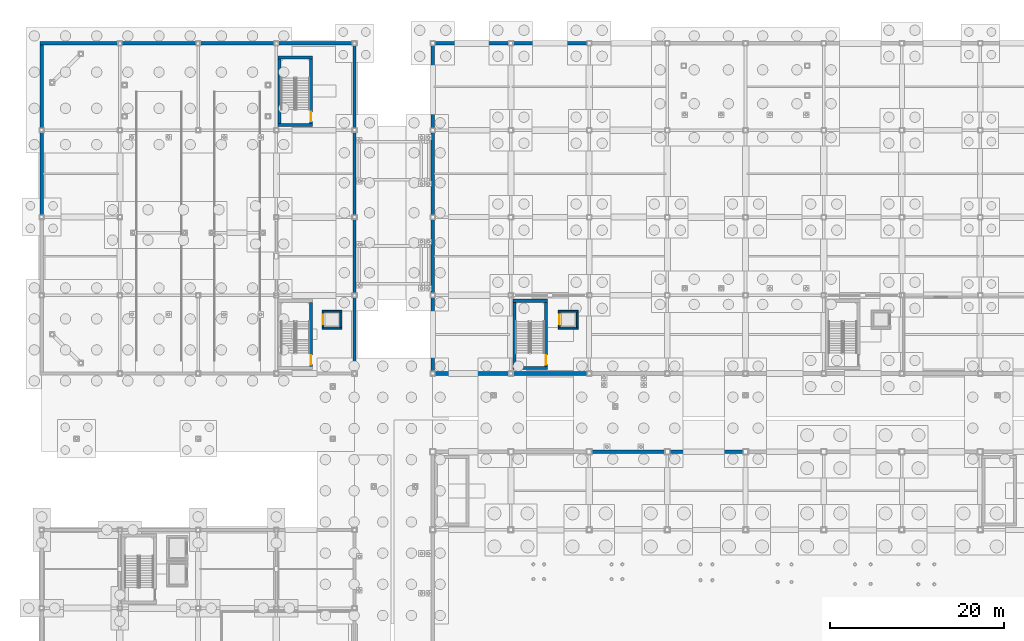
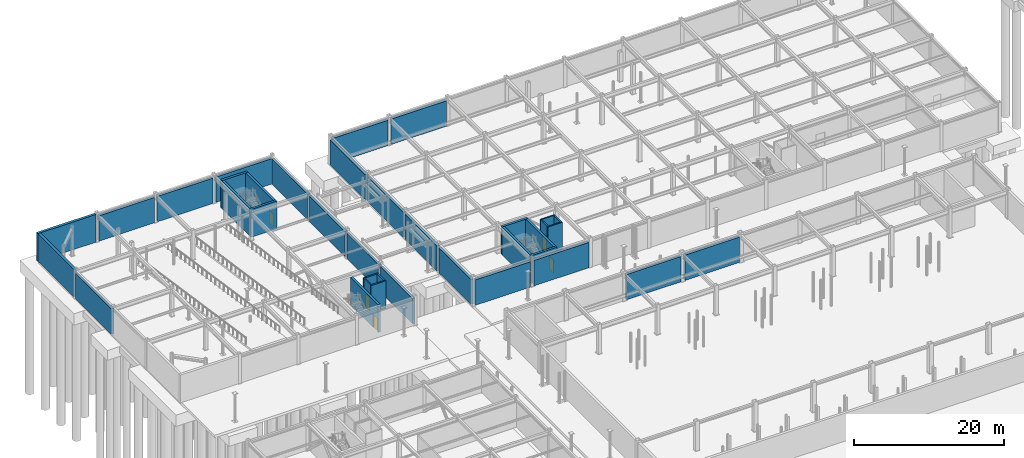
# One storey, part 54 of 74: 37 walls, 5 doors, 5 openings.
"""IFC4 building model written with IfcOpenShell, lengths in metres."""

from ifc_helpers import new_model, si_unit, direction, frame, frame_2d, origin, place, context, subcontext, project, spatial, rectangle, extrude, material, layer, layer_set, type_object, element, fill, save


model = new_model("IFC4")

# Units and contexts
model_context = context("Model", 3, precision=1e-05, world=origin(), true_north=direction((0.0, 1.0)))
body_context = subcontext(model_context, "Body", "Model", "MODEL_VIEW")
ifc_project = project(units=[si_unit("LENGTHUNIT", "METRE"), si_unit("AREAUNIT", "SQUARE_METRE"), si_unit("VOLUMEUNIT", "CUBIC_METRE"), si_unit("PLANEANGLEUNIT", "RADIAN"), si_unit("MASSUNIT", "GRAM", prefix="KILO")], contexts=[model_context])

# Site, building, storey
site_placement = place(None, origin())
site = spatial("IfcSite", under=ifc_project, at=site_placement, CompositionType="ELEMENT")
building_placement = place(site_placement, origin())
building = spatial("IfcBuilding", under=site, at=building_placement, Name="Suzunagisa Mobility Hub", CompositionType="ELEMENT")
storey_placement = place(building_placement, frame((0.0, 0.0, -4.800048828125)))
storey = spatial("IfcBuildingStorey", under=building, at=storey_placement, Name="B1", CompositionType="ELEMENT", Elevation=-4.800048828125)

# Walls
ifc_material_1 = material(Name="Concrete C35/45", Category="concrete")
ifc_layer_1 = layer(ifc_material_1, 0.419921875)
ifc_layer_set_1 = layer_set([ifc_layer_1], Name="Concrete C35/45")
wall_type_1 = type_object("IfcWallType", Name="Exterior Wall EW-02 420mm", PredefinedType="USERDEFINED", material=ifc_layer_set_1)
for number, where, z_axis, x_axis, name in (
    (1, (45.25, 80.0, 0.0), (0.0, 0.0, 1.0), (1.0, 0.0, 0.0), "B1 Perimeter Retaining Wall RW-136"),
    (2, (54.25, 80.0, 0.0), (0.0, 0.0, 1.0), (1.0, 0.0, 0.0), "B1 Perimeter Retaining Wall RW-137"),
    (3, (62.75, 118.0, 0.0), (0.0, 0.0, 1.0), (-1.0, 0.0, 0.0), "B1 Perimeter Retaining Wall RW-156"),
    (4, (53.75, 118.0, 0.0), (0.0, 0.0, 1.0), (-1.0, 0.0, 0.0), "B1 Perimeter Retaining Wall RW-157"),
):
    element("IfcWall", number, at=place(storey_placement, frame(where, z_axis=z_axis, x_axis=x_axis)), inside=storey, type_object=wall_type_1, Name=name, ObjectType="RETAINING WALL", PredefinedType="USERDEFINED", context=body_context, shape_type="SweptSolid", body=[
        extrude(rectangle(XDim=8.5, YDim=0.419921875, at=frame_2d((4.25, 0.0))), origin(), (0.0, 0.0, 1.0), 4.130126953125),
    ])
for number, where, z_axis, x_axis, name in (
    (5, (45.0, 117.75, 0.0), (0.0, 0.0, 1.0), (0.0, -1.0, 0.0), "B1 Perimeter Retaining Wall RW-158"),
    (6, (45.0, 107.75, 0.0), (0.0, 0.0, 1.0), (0.0, -1.0, 0.0), "B1 Perimeter Retaining Wall RW-159"),
):
    element("IfcWall", number, at=place(storey_placement, frame(where, z_axis=z_axis, x_axis=x_axis)), inside=storey, type_object=wall_type_1, Name=name, ObjectType="RETAINING WALL", PredefinedType="USERDEFINED", context=body_context, shape_type="SweptSolid", body=[
        extrude(rectangle(XDim=9.5, YDim=0.419921875, at=frame_2d((4.75, 0.0))), origin(), (0.0, 0.0, 1.0), 4.070068359375),
    ])
for number, where, z_axis, x_axis, name in (
    (7, (45.0, 97.75, 0.0), (0.0, 0.0, 1.0), (0.0, -1.0, 0.0), "B1 Perimeter Retaining Wall RW-160"),
    (8, (45.0, 88.75, 0.0), (0.0, 0.0, 1.0), (0.0, -1.0, 0.0), "B1 Perimeter Retaining Wall RW-161"),
):
    element("IfcWall", number, at=place(storey_placement, frame(where, z_axis=z_axis, x_axis=x_axis)), inside=storey, type_object=wall_type_1, Name=name, ObjectType="RETAINING WALL", PredefinedType="USERDEFINED", context=body_context, shape_type="SweptSolid", body=[
        extrude(rectangle(XDim=8.5, YDim=0.419921875, at=frame_2d((4.25, 0.0))), origin(), (0.0, 0.0, 1.0), 4.070068359375),
    ])
ifc_layer_2 = layer(ifc_material_1, 0.3798828125)
ifc_layer_set_2 = layer_set([ifc_layer_2], Name="Concrete C35/45")
wall_type_2 = type_object("IfcWallType", Name="Exterior Wall EW-06 380mm", PredefinedType="USERDEFINED", material=ifc_layer_set_2)
for number, where, z_axis, x_axis, name in (
    (9, (80.699951171875, 71.0, 0.0), (0.0, 0.0, 1.0), (-1.0, 0.0, 0.0), "B1 Perimeter Retaining Wall RW-65"),
    (10, (71.699951171875, 71.0, 0.0), (0.0, 0.0, 1.0), (-1.0, 0.0, 0.0), "B1 Perimeter Retaining Wall RW-66"),
):
    element("IfcWall", number, at=place(storey_placement, frame(where, z_axis=z_axis, x_axis=x_axis)), inside=storey, type_object=wall_type_2, Name=name, ObjectType="RETAINING WALL", PredefinedType="USERDEFINED", context=body_context, shape_type="SweptSolid", body=[
        extrude(rectangle(XDim=8.39990234375, YDim=0.3798828125, at=frame_2d((4.199951171875, 0.0))), origin(), (0.0, 0.0, 1.0), 4.130126953125),
    ])
for number, where, z_axis, x_axis, name in (
    (11, (36.0, 80.22509765625, 0.0), (0.0, 0.0, 1.0), (0.0, 1.0, 0.0), "B1 Perimeter Retaining Wall RW-86"),
    (12, (36.0, 89.22509765625, 0.0), (0.0, 0.0, 1.0), (0.0, 1.0, 0.0), "B1 Perimeter Retaining Wall RW-87"),
):
    element("IfcWall", number, at=place(storey_placement, frame(where, z_axis=z_axis, x_axis=x_axis)), inside=storey, type_object=wall_type_2, Name=name, ObjectType="RETAINING WALL", PredefinedType="USERDEFINED", context=body_context, shape_type="SweptSolid", body=[
        extrude(rectangle(XDim=8.5498046875, YDim=0.3798828125, at=frame_2d((4.27490234375, 0.0))), origin(), (0.0, 0.0, 1.0), 4.130126953125),
    ])
for number, where, z_axis, x_axis, name in (
    (13, (36.0, 98.22509765625, 0.0), (0.0, 0.0, 1.0), (0.0, 1.0, 0.0), "B1 Perimeter Retaining Wall RW-88"),
    (14, (36.0, 108.22509765625, 0.0), (0.0, 0.0, 1.0), (0.0, 1.0, 0.0), "B1 Perimeter Retaining Wall RW-89"),
):
    element("IfcWall", number, at=place(storey_placement, frame(where, z_axis=z_axis, x_axis=x_axis)), inside=storey, type_object=wall_type_2, Name=name, ObjectType="RETAINING WALL", PredefinedType="USERDEFINED", context=body_context, shape_type="SweptSolid", body=[
        extrude(rectangle(XDim=9.5498046875, YDim=0.3798828125, at=frame_2d((4.77490234375, 0.0))), origin(), (0.0, 0.0, 1.0), 4.130126953125),
    ])
for number, where, z_axis, x_axis, name in (
    (15, (35.77490234375, 118.0, 0.0), (0.0, 0.0, 1.0), (-1.0, 0.0, 0.0), "B1 Perimeter Retaining Wall RW-90"),
    (16, (26.77490234375, 118.0, 0.0), (0.0, 0.0, 1.0), (-1.0, 0.0, 0.0), "B1 Perimeter Retaining Wall RW-91"),
    (17, (17.77490234375, 118.0, 0.0), (0.0, 0.0, 1.0), (-1.0, 0.0, 0.0), "B1 Perimeter Retaining Wall RW-92"),
):
    element("IfcWall", number, at=place(storey_placement, frame(where, z_axis=z_axis, x_axis=x_axis)), inside=storey, type_object=wall_type_2, Name=name, ObjectType="RETAINING WALL", PredefinedType="USERDEFINED", context=body_context, shape_type="SweptSolid", body=[
        extrude(rectangle(XDim=8.5498046875, YDim=0.3798828125, at=frame_2d((4.27490234375, 0.0))), origin(), (0.0, 0.0, 1.0), 4.130126953125),
    ])
wall_1_placement = place(storey_placement, frame((8.77490234375, 118.0, 0.0), z_axis=(0.0, 0.0, 1.0), x_axis=(-1.0, 0.0, 0.0)))
element("IfcWall", 18, at=wall_1_placement, inside=storey, type_object=wall_type_2, Name="B1 Perimeter Retaining Wall RW-93", ObjectType="RETAINING WALL", PredefinedType="USERDEFINED", context=body_context, shape_type="SweptSolid", body=[
    extrude(rectangle(XDim=8.96484375, YDim=0.3798828125, at=frame_2d((4.482421875, 0.0))), origin(), (0.0, 0.0, 1.0), 4.52001953125),
])
wall_2_placement = place(storey_placement, frame((0.0, 117.81005859375, 0.0), z_axis=(0.0, 0.0, 1.0), x_axis=(0.0, -1.0, 0.0)))
element("IfcWall", 19, at=wall_2_placement, inside=storey, type_object=wall_type_2, Name="B1 Perimeter Retaining Wall RW-94", ObjectType="RETAINING WALL", PredefinedType="USERDEFINED", context=body_context, shape_type="SweptSolid", body=[
    extrude(rectangle(XDim=9.5849609375, YDim=0.3798828125, at=frame_2d((4.79248046875, 0.0))), origin(), (0.0, 0.0, 1.0), 4.52001953125),
])
wall_3_placement = place(storey_placement, frame((0.0, 107.77490234375, 0.0), z_axis=(0.0, 0.0, 1.0), x_axis=(0.0, -1.0, 0.0)))
element("IfcWall", 20, at=wall_3_placement, inside=storey, type_object=wall_type_2, Name="B1 Perimeter Retaining Wall RW-95", ObjectType="RETAINING WALL", PredefinedType="USERDEFINED", context=body_context, shape_type="SweptSolid", body=[
    extrude(rectangle(XDim=9.5498046875, YDim=0.3798828125, at=frame_2d((4.77490234375, 0.0))), origin(), (0.0, 0.0, 1.0), 4.130126953125),
])

# Wall, opening, door
ifc_material_2 = material(Name="Fire-Rated Gypsum Stud Partition", Category="gypsum")
ifc_layer_3 = layer(ifc_material_2, 0.2099609375)
ifc_layer_set_3 = layer_set([ifc_layer_3], Name="Fire-Rated Gypsum Stud Partition")
wall_type_3 = type_object("IfcWallType", Name="Interior Wall IW-03 210mm", PredefinedType="PARTITIONING", material=ifc_layer_set_3)
wall_4_placement = place(storey_placement, frame((32.375, 85.330078125, 0.0), z_axis=(0.0, 0.0, 1.0), x_axis=(0.0, 1.0, 0.0)))
wall_4 = element("IfcWall", 21, at=wall_4_placement, inside=storey, type_object=wall_type_3, Name="B1 Lift LF-09 Shaft Front Wall", PredefinedType="PARTITIONING", context=body_context, shape_type="SweptSolid", body=[
    extrude(rectangle(XDim=1.739990234375, YDim=0.2099609375, at=frame_2d((0.8701171875, 0.0))), origin(), (0.0, 0.0, 1.0), 4.52001953125),
])
opening_1_placement = place(wall_4_placement, frame((0.320068359375, 0.0, 0.0)))
opening_1 = element("IfcOpeningElement", 22, at=opening_1_placement, cuts=wall_4, Name="Opening LD-01", PredefinedType="OPENING", context=body_context, shape_type="SweptSolid", body=[
    extrude(rectangle(XDim=1.10009765625, YDim=2.14990234375, at=frame_2d((0.550048828125, 1.074951171875))), frame((0.0, 0.115966796875, 0.0), z_axis=(0.0, -1.0, 0.0), x_axis=(1.0, 0.0, 0.0)), (0.0, 0.0, 1.0), 0.23193359375),
])
ifc_material_3 = material(Name="Brushed Stainless Steel SUS304", Category="metal")
door_type_1 = type_object("IfcDoorType", Name="Lift Landing Sliding Door LD-01 1100x2150", OperationType="SLIDING_TO_LEFT", PredefinedType="DOOR", material=ifc_material_3)
door_1_placement = place(opening_1_placement, origin())
door_1 = element("IfcDoor", 23, at=door_1_placement, inside=storey, type_object=door_type_1, Name="B1 Lift LF-09 Sliding Landing Door", OperationType="SLIDING_TO_LEFT", OverallHeight=2.14990234375, OverallWidth=1.10009765625, PredefinedType="DOOR", context=body_context, shape_type="SweptSolid", body=[
    extrude(rectangle(XDim=1.10009765625, YDim=2.14990234375, at=frame_2d((0.550048828125, 1.074951171875))), frame((0.0, 0.02490234375, 0.0), z_axis=(0.0, -1.0, 0.0), x_axis=(1.0, 0.0, 0.0)), (0.0, 0.0, 1.0), 0.050048828125),
])
fill(opening_1, door_1)

# Walls
wall_5_placement = place(storey_placement, frame((34.425048828125, 85.330078125, 0.0), z_axis=(0.0, 0.0, 1.0), x_axis=(0.0, 1.0, 0.0)))
element("IfcWall", 24, at=wall_5_placement, inside=storey, type_object=wall_type_3, Name="B1 Lift LF-09 Shaft Back Wall", PredefinedType="PARTITIONING", context=body_context, shape_type="SweptSolid", body=[
    extrude(rectangle(XDim=1.739990234375, YDim=0.2099609375, at=frame_2d((0.8701171875, 0.0))), origin(), (0.0, 0.0, 1.0), 4.52001953125),
])
for number, where, z_axis, x_axis, name in (
    (25, (32.27001953125, 85.22509765625, 0.0), (0.0, 0.0, 1.0), (1.0, 0.0, 0.0), "B1 Lift LF-09 Shaft South Wall"),
    (26, (32.27001953125, 87.175048828125, 0.0), (0.0, 0.0, 1.0), (1.0, 0.0, 0.0), "B1 Lift LF-09 Shaft North Wall"),
):
    element("IfcWall", number, at=place(storey_placement, frame(where, z_axis=z_axis, x_axis=x_axis)), inside=storey, type_object=wall_type_3, Name=name, PredefinedType="PARTITIONING", context=body_context, shape_type="SweptSolid", body=[
        extrude(rectangle(XDim=2.260009765625, YDim=0.2099609375, at=frame_2d((1.1298828125, 0.0))), origin(), (0.0, 0.0, 1.0), 4.52001953125),
    ])

# Wall, opening, door
wall_6_placement = place(storey_placement, frame((59.574951171875, 85.330078125, 0.0), z_axis=(0.0, 0.0, 1.0), x_axis=(0.0, 1.0, 0.0)))
wall_6 = element("IfcWall", 27, at=wall_6_placement, inside=storey, type_object=wall_type_3, Name="B1 Lift LF-04 Shaft Front Wall", PredefinedType="PARTITIONING", context=body_context, shape_type="SweptSolid", body=[
    extrude(rectangle(XDim=1.739990234375, YDim=0.2099609375, at=frame_2d((0.8701171875, 0.0))), origin(), (0.0, 0.0, 1.0), 4.52001953125),
])
opening_2_placement = place(wall_6_placement, frame((0.320068359375, 0.0, 0.0)))
opening_2 = element("IfcOpeningElement", 28, at=opening_2_placement, cuts=wall_6, Name="Opening LD-01", PredefinedType="OPENING", context=body_context, shape_type="SweptSolid", body=[
    extrude(rectangle(XDim=1.10009765625, YDim=2.14990234375, at=frame_2d((0.550048828125, 1.074951171875))), frame((0.0, 0.115966796875, 0.0), z_axis=(0.0, -1.0, 0.0), x_axis=(1.0, 0.0, 0.0)), (0.0, 0.0, 1.0), 0.23193359375),
])
door_2_placement = place(opening_2_placement, origin())
door_2 = element("IfcDoor", 29, at=door_2_placement, inside=storey, type_object=door_type_1, Name="B1 Lift LF-04 Sliding Landing Door", OperationType="SLIDING_TO_LEFT", OverallHeight=2.14990234375, OverallWidth=1.10009765625, PredefinedType="DOOR", context=body_context, shape_type="SweptSolid", body=[
    extrude(rectangle(XDim=1.10009765625, YDim=2.14990234375, at=frame_2d((0.550048828125, 1.074951171875))), frame((0.0, 0.02490234375, 0.0), z_axis=(0.0, -1.0, 0.0), x_axis=(1.0, 0.0, 0.0)), (0.0, 0.0, 1.0), 0.050048828125),
])
fill(opening_2, door_2)

# Walls
wall_7_placement = place(storey_placement, frame((61.625, 85.330078125, 0.0), z_axis=(0.0, 0.0, 1.0), x_axis=(0.0, 1.0, 0.0)))
element("IfcWall", 30, at=wall_7_placement, inside=storey, type_object=wall_type_3, Name="B1 Lift LF-04 Shaft Back Wall", PredefinedType="PARTITIONING", context=body_context, shape_type="SweptSolid", body=[
    extrude(rectangle(XDim=1.739990234375, YDim=0.2099609375, at=frame_2d((0.8701171875, 0.0))), origin(), (0.0, 0.0, 1.0), 4.52001953125),
])
for number, where, z_axis, x_axis, name in (
    (31, (59.469970703125, 85.22509765625, 0.0), (0.0, 0.0, 1.0), (1.0, 0.0, 0.0), "B1 Lift LF-04 Shaft South Wall"),
    (32, (59.469970703125, 87.175048828125, 0.0), (0.0, 0.0, 1.0), (1.0, 0.0, 0.0), "B1 Lift LF-04 Shaft North Wall"),
):
    element("IfcWall", number, at=place(storey_placement, frame(where, z_axis=z_axis, x_axis=x_axis)), inside=storey, type_object=wall_type_3, Name=name, PredefinedType="PARTITIONING", context=body_context, shape_type="SweptSolid", body=[
        extrude(rectangle(XDim=2.260009765625, YDim=0.2099609375, at=frame_2d((1.1298828125, 0.0))), origin(), (0.0, 0.0, 1.0), 4.52001953125),
    ])

# Wall, opening, door
ifc_layer_4 = layer(ifc_material_1, 0.35009765625)
ifc_layer_set_4 = layer_set([ifc_layer_4], Name="Concrete C35/45")
wall_type_4 = type_object("IfcWallType", Name="Interior Wall IW-04 350mm", PredefinedType="SHEAR", material=ifc_layer_set_4)
wall_8_placement = place(storey_placement, frame((31.014892578125, 80.800048828125, 0.0), z_axis=(0.0, 0.0, 1.0), x_axis=(0.0, 1.0, 0.0)))
wall_8 = element("IfcWall", 33, at=wall_8_placement, inside=storey, type_object=wall_type_4, Name="B1 Core C6 Shear Wall SW-112", PredefinedType="SHEAR", context=body_context, shape_type="SweptSolid", body=[
    extrude(rectangle(XDim=7.39990234375, YDim=0.35009765625, at=frame_2d((3.699951171875, 0.0))), origin(), (0.0, 0.0, 1.0), 4.52001953125),
])
opening_3_placement = place(wall_8_placement, frame((0.219970703125, 0.0, 0.0)))
opening_3 = element("IfcOpeningElement", 34, at=opening_3_placement, cuts=wall_8, Name="Opening DR-05", PredefinedType="OPENING", context=body_context, shape_type="SweptSolid", body=[
    extrude(rectangle(XDim=1.10009765625, YDim=2.14990234375, at=frame_2d((0.550048828125, 1.074951171875))), frame((0.0, 0.18603515625, 0.0), z_axis=(0.0, -1.0, 0.0), x_axis=(1.0, 0.0, 0.0)), (0.0, 0.0, 1.0), 0.3720703125),
])
ifc_material_4 = material(Name="Fire-Rated Hollow Steel Stair Door", Category="steel")
door_type_2 = type_object("IfcDoorType", Name="Interior Door DR-05 1100x2150", OperationType="SINGLE_SWING_LEFT", PredefinedType="DOOR", material=ifc_material_4)
door_3_placement = place(opening_3_placement, origin())
door_3 = element("IfcDoor", 35, at=door_3_placement, inside=storey, type_object=door_type_2, Name="B1 Core C6 Escape Stair Fire Door SD-26", OperationType="SINGLE_SWING_LEFT", OverallHeight=2.14990234375, OverallWidth=1.10009765625, PredefinedType="DOOR", context=body_context, shape_type="SweptSolid", body=[
    extrude(rectangle(XDim=1.10009765625, YDim=2.14990234375, at=frame_2d((0.550048828125, 1.074951171875))), frame((0.0, 0.02490234375, 0.0), z_axis=(0.0, -1.0, 0.0), x_axis=(1.0, 0.0, 0.0)), (0.0, 0.0, 1.0), 0.050048828125),
])
fill(opening_3, door_3)

# Walls
for number, where, z_axis, x_axis, name in (
    (36, (27.2099609375, 108.625, 0.0), (0.0, 0.0, 1.0), (1.0, 0.0, 0.0), "B1 Core C6B Shear Wall SW-157"),
    (37, (27.2099609375, 116.375, 0.0), (0.0, 0.0, 1.0), (1.0, 0.0, 0.0), "B1 Core C6B Shear Wall SW-158"),
):
    element("IfcWall", number, at=place(storey_placement, frame(where, z_axis=z_axis, x_axis=x_axis)), inside=storey, type_object=wall_type_4, Name=name, PredefinedType="SHEAR", context=body_context, shape_type="SweptSolid", body=[
        extrude(rectangle(XDim=3.97998046875, YDim=0.35009765625, at=frame_2d((1.989990234375, 0.0))), origin(), (0.0, 0.0, 1.0), 4.52001953125),
    ])
wall_9_placement = place(storey_placement, frame((27.385009765625, 108.800048828125, 0.0), z_axis=(0.0, 0.0, 1.0), x_axis=(0.0, 1.0, 0.0)))
element("IfcWall", 38, at=wall_9_placement, inside=storey, type_object=wall_type_4, Name="B1 Core C6B Shear Wall SW-159", PredefinedType="SHEAR", context=body_context, shape_type="SweptSolid", body=[
    extrude(rectangle(XDim=7.39990234375, YDim=0.35009765625, at=frame_2d((3.699951171875, 0.0))), origin(), (0.0, 0.0, 1.0), 4.52001953125),
])

# Wall, opening, door
wall_10_placement = place(storey_placement, frame((31.014892578125, 108.800048828125, 0.0), z_axis=(0.0, 0.0, 1.0), x_axis=(0.0, 1.0, 0.0)))
wall_10 = element("IfcWall", 39, at=wall_10_placement, inside=storey, type_object=wall_type_4, Name="B1 Core C6B Shear Wall SW-160", PredefinedType="SHEAR", context=body_context, shape_type="SweptSolid", body=[
    extrude(rectangle(XDim=7.39990234375, YDim=0.35009765625, at=frame_2d((3.699951171875, 0.0))), origin(), (0.0, 0.0, 1.0), 4.52001953125),
])
opening_4_placement = place(wall_10_placement, frame((0.219970703125, 0.0, 0.0)))
opening_4 = element("IfcOpeningElement", 40, at=opening_4_placement, cuts=wall_10, Name="Opening DR-05", PredefinedType="OPENING", context=body_context, shape_type="SweptSolid", body=[
    extrude(rectangle(XDim=1.10009765625, YDim=2.14990234375, at=frame_2d((0.550048828125, 1.074951171875))), frame((0.0, 0.18603515625, 0.0), z_axis=(0.0, -1.0, 0.0), x_axis=(1.0, 0.0, 0.0)), (0.0, 0.0, 1.0), 0.3720703125),
])
door_4_placement = place(opening_4_placement, origin())
door_4 = element("IfcDoor", 41, at=door_4_placement, inside=storey, type_object=door_type_2, Name="B1 Core C6B Escape Stair Fire Door SD-38", OperationType="SINGLE_SWING_LEFT", OverallHeight=2.14990234375, OverallWidth=1.10009765625, PredefinedType="DOOR", context=body_context, shape_type="SweptSolid", body=[
    extrude(rectangle(XDim=1.10009765625, YDim=2.14990234375, at=frame_2d((0.550048828125, 1.074951171875))), frame((0.0, 0.02490234375, 0.0), z_axis=(0.0, -1.0, 0.0), x_axis=(1.0, 0.0, 0.0)), (0.0, 0.0, 1.0), 0.050048828125),
])
fill(opening_4, door_4)

# Walls
for number, where, z_axis, x_axis, name in (
    (42, (54.2099609375, 80.625, 0.0), (0.0, 0.0, 1.0), (1.0, 0.0, 0.0), "B1 Core C3 Shear Wall SW-181"),
    (43, (54.2099609375, 88.375, 0.0), (0.0, 0.0, 1.0), (1.0, 0.0, 0.0), "B1 Core C3 Shear Wall SW-182"),
):
    element("IfcWall", number, at=place(storey_placement, frame(where, z_axis=z_axis, x_axis=x_axis)), inside=storey, type_object=wall_type_4, Name=name, PredefinedType="SHEAR", context=body_context, shape_type="SweptSolid", body=[
        extrude(rectangle(XDim=3.97998046875, YDim=0.35009765625, at=frame_2d((1.989990234375, 0.0))), origin(), (0.0, 0.0, 1.0), 4.52001953125),
    ])
wall_11_placement = place(storey_placement, frame((54.385009765625, 80.800048828125, 0.0), z_axis=(0.0, 0.0, 1.0), x_axis=(0.0, 1.0, 0.0)))
element("IfcWall", 44, at=wall_11_placement, inside=storey, type_object=wall_type_4, Name="B1 Core C3 Shear Wall SW-183", PredefinedType="SHEAR", context=body_context, shape_type="SweptSolid", body=[
    extrude(rectangle(XDim=7.39990234375, YDim=0.35009765625, at=frame_2d((3.699951171875, 0.0))), origin(), (0.0, 0.0, 1.0), 4.52001953125),
])

# Wall, opening, door
wall_12_placement = place(storey_placement, frame((58.014892578125, 80.800048828125, 0.0), z_axis=(0.0, 0.0, 1.0), x_axis=(0.0, 1.0, 0.0)))
wall_12 = element("IfcWall", 45, at=wall_12_placement, inside=storey, type_object=wall_type_4, Name="B1 Core C3 Shear Wall SW-184", PredefinedType="SHEAR", context=body_context, shape_type="SweptSolid", body=[
    extrude(rectangle(XDim=7.39990234375, YDim=0.35009765625, at=frame_2d((3.699951171875, 0.0))), origin(), (0.0, 0.0, 1.0), 4.52001953125),
])
opening_5_placement = place(wall_12_placement, frame((0.219970703125, 0.0, 0.0)))
opening_5 = element("IfcOpeningElement", 46, at=opening_5_placement, cuts=wall_12, Name="Opening DR-05", PredefinedType="OPENING", context=body_context, shape_type="SweptSolid", body=[
    extrude(rectangle(XDim=1.10009765625, YDim=2.14990234375, at=frame_2d((0.550048828125, 1.074951171875))), frame((0.0, 0.18603515625, 0.0), z_axis=(0.0, -1.0, 0.0), x_axis=(1.0, 0.0, 0.0)), (0.0, 0.0, 1.0), 0.3720703125),
])
door_5_placement = place(opening_5_placement, origin())
door_5 = element("IfcDoor", 47, at=door_5_placement, inside=storey, type_object=door_type_2, Name="B1 Core C3 Escape Stair Fire Door SD-44", OperationType="SINGLE_SWING_LEFT", OverallHeight=2.14990234375, OverallWidth=1.10009765625, PredefinedType="DOOR", context=body_context, shape_type="SweptSolid", body=[
    extrude(rectangle(XDim=1.10009765625, YDim=2.14990234375, at=frame_2d((0.550048828125, 1.074951171875))), frame((0.0, 0.02490234375, 0.0), z_axis=(0.0, -1.0, 0.0), x_axis=(1.0, 0.0, 0.0)), (0.0, 0.0, 1.0), 0.050048828125),
])
fill(opening_5, door_5)

save(model, "model.ifc")
